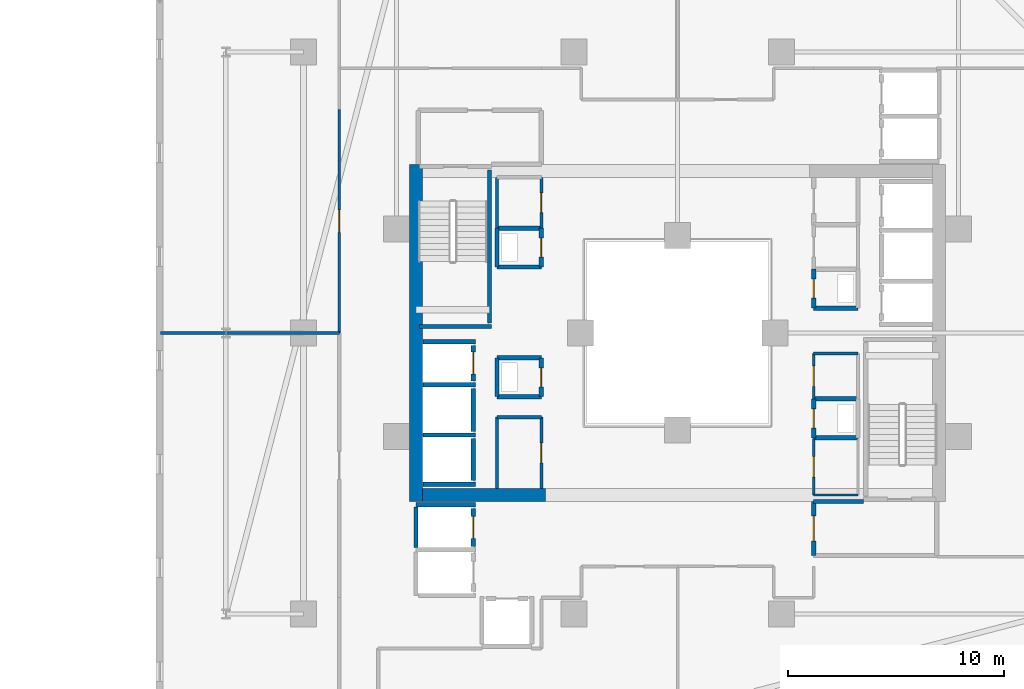
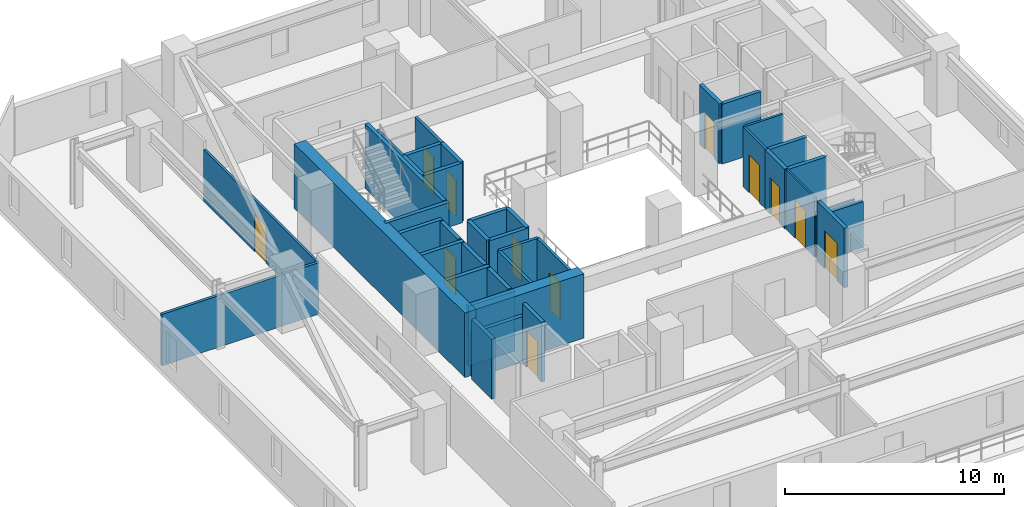
# One storey, part 24 of 33: 40 walls, 12 doors, 12 openings.
"""IFC4 building model written with IfcOpenShell, lengths in metres."""

from ifc_helpers import new_model, si_unit, direction, frame, frame_2d, origin, place, context, subcontext, project, spatial, rectangle, extrude, material, layer, layer_set, type_object, element, fill, save


model = new_model("IFC4")

# Units and contexts
model_context = context("Model", 3, precision=1e-05, world=origin(), true_north=direction((0.0, 1.0)))
body_context = subcontext(model_context, "Body", "Model", "MODEL_VIEW")
ifc_project = project(units=[si_unit("LENGTHUNIT", "METRE"), si_unit("AREAUNIT", "SQUARE_METRE"), si_unit("VOLUMEUNIT", "CUBIC_METRE"), si_unit("PLANEANGLEUNIT", "RADIAN"), si_unit("MASSUNIT", "GRAM", prefix="KILO")], contexts=[model_context])

# Site, building, storey
site_placement = place(None, origin())
site = spatial("IfcSite", under=ifc_project, at=site_placement, CompositionType="ELEMENT")
building_placement = place(site_placement, origin())
building = spatial("IfcBuilding", under=site, at=building_placement, Name="Thornwick Lancets Civic Towers", CompositionType="ELEMENT")
storey_placement = place(building_placement, frame((0.0, 0.0, 101.699951171875)))
storey = spatial("IfcBuildingStorey", under=building, at=storey_placement, Name="L26", CompositionType="ELEMENT", Elevation=101.699951171875)

# Wall, opening, door
ifc_material_1 = material(Name="Concrete blockwork C40/50", Category="masonry")
ifc_layer_1 = layer(ifc_material_1, 0.199951171875, Name="Concrete blockwork C40/50")
ifc_layer_set_1 = layer_set([ifc_layer_1], Name="Concrete blockwork C40/50")
wall_type_1 = type_object("IfcWallType", Name="WALL_COMP_200", PredefinedType="STANDARD", material=ifc_layer_set_1)
wall_1_placement = place(storey_placement, frame((79.050048828125, 24.780029296875, 0.0), z_axis=(0.0, 0.0, 1.0), x_axis=(0.0, 1.0, 0.0)))
wall_1 = element("IfcWall", 1, at=wall_1_placement, inside=storey, type_object=wall_type_1, Name="L26 Hoistway Front Wall FL-B2", PredefinedType="STANDARD", context=body_context, shape_type="SweptSolid", body=[
    extrude(rectangle(XDim=1.639892578125, YDim=0.199951171875, at=frame_2d((0.81982421875, 0.0))), origin(), (0.0, 0.0, 1.0), 3.340087890625),
])
opening_1_placement = place(wall_1_placement, frame((0.31005859375, 0.0, 0.0)))
opening_1 = element("IfcOpeningElement", 2, at=opening_1_placement, cuts=wall_1, Name="Opening LD-FL-B2", PredefinedType="OPENING", context=body_context, shape_type="SweptSolid", body=[
    extrude(rectangle(XDim=1.02001953125, YDim=2.06005859375, at=frame_2d((0.510009765625, 1.030029296875))), frame((0.0, 0.10986328125, 0.0), z_axis=(0.0, -1.0, 0.0), x_axis=(1.0, 0.0, 0.0)), (0.0, 0.0, 1.0), 0.219970703125),
])
ifc_material_2 = material(Name="Brushed bronze stainless steel", Category="steel")
door_type_1 = type_object("IfcDoorType", Name="DOOR_LIFT_SLIDE", OperationType="SLIDING_TO_LEFT", PredefinedType="DOOR", material=ifc_material_2)
door_1_placement = place(opening_1_placement, origin())
door_1 = element("IfcDoor", 3, at=door_1_placement, inside=storey, type_object=door_type_1, Name="L26 Sliding Lift Landing Door LD-FL-B2", OperationType="SLIDING_TO_LEFT", OverallHeight=2.06005859375, OverallWidth=1.02001953125, PredefinedType="DOOR", context=body_context, shape_type="SweptSolid", body=[
    extrude(rectangle(XDim=1.02001953125, YDim=2.06005859375, at=frame_2d((0.510009765625, 1.030029296875))), frame((0.0, 0.02490234375, 0.0), z_axis=(0.0, -1.0, 0.0), x_axis=(1.0, 0.0, 0.0)), (0.0, 0.0, 1.0), 0.050048828125),
])
fill(opening_1, door_1)

# Walls
wall_2_placement = place(storey_placement, frame((79.050048828125, 22.429931640625, 0.0), z_axis=(0.0, 0.0, 1.0), x_axis=(0.0, 1.0, 0.0)))
element("IfcWall", 4, at=wall_2_placement, inside=storey, type_object=wall_type_1, Name="L26 Hoistway Front Wall PL-BH2", PredefinedType="STANDARD", context=body_context, shape_type="SweptSolid", body=[
    extrude(rectangle(XDim=1.989990234375, YDim=0.199951171875, at=frame_2d((0.9951171875, 0.0))), origin(), (0.0, 0.0, 1.0), 3.340087890625),
])
wall_3_placement = place(storey_placement, frame((79.050048828125, 20.179931640625, 0.0), z_axis=(0.0, 0.0, 1.0), x_axis=(0.0, 1.0, 0.0)))
element("IfcWall", 5, at=wall_3_placement, inside=storey, type_object=wall_type_1, Name="L26 Hoistway Front Wall PL-BH3", PredefinedType="STANDARD", context=body_context, shape_type="SweptSolid", body=[
    extrude(rectangle(XDim=1.940185546875, YDim=0.199951171875, at=frame_2d((0.97021484375, 0.0))), origin(), (0.0, 0.0, 1.0), 3.340087890625),
])

# Wall, opening, door
wall_4_placement = place(storey_placement, frame((79.050048828125, 17.1298828125, 0.0), z_axis=(0.0, 0.0, 1.0), x_axis=(0.0, 1.0, 0.0)))
wall_4 = element("IfcWall", 6, at=wall_4_placement, inside=storey, type_object=wall_type_1, Name="L26 Hoistway Front Wall PL-BM1", PredefinedType="STANDARD", context=body_context, shape_type="SweptSolid", body=[
    extrude(rectangle(XDim=1.740234375, YDim=0.199951171875, at=frame_2d((0.8701171875, 0.0))), origin(), (0.0, 0.0, 1.0), 3.340087890625),
])
opening_2_placement = place(wall_4_placement, frame((0.360107421875, 0.0, 0.0)))
opening_2 = element("IfcOpeningElement", 7, at=opening_2_placement, cuts=wall_4, Name="Opening LD-PL-BM1", PredefinedType="OPENING", context=body_context, shape_type="SweptSolid", body=[
    extrude(rectangle(XDim=1.02001953125, YDim=2.06005859375, at=frame_2d((0.510009765625, 1.030029296875))), frame((0.0, 0.10986328125, 0.0), z_axis=(0.0, -1.0, 0.0), x_axis=(1.0, 0.0, 0.0)), (0.0, 0.0, 1.0), 0.219970703125),
])
door_2_placement = place(opening_2_placement, origin())
door_2 = element("IfcDoor", 8, at=door_2_placement, inside=storey, type_object=door_type_1, Name="L26 Sliding Lift Landing Door LD-PL-BM1", OperationType="SLIDING_TO_LEFT", OverallHeight=2.06005859375, OverallWidth=1.02001953125, PredefinedType="DOOR", context=body_context, shape_type="SweptSolid", body=[
    extrude(rectangle(XDim=1.02001953125, YDim=2.06005859375, at=frame_2d((0.510009765625, 1.030029296875))), frame((0.0, 0.02490234375, 0.0), z_axis=(0.0, -1.0, 0.0), x_axis=(1.0, 0.0, 0.0)), (0.0, 0.0, 1.0), 0.050048828125),
])
fill(opening_2, door_2)

# Walls
for number, where, z_axis, x_axis, name in (
    (9, (76.7119140625, 26.60009765625, 0.0), (0.0, 0.0, 1.0), (1.0, 0.0, 0.0), "L26 Hoistway Shaft Wall FL-B2 N"),
    (10, (76.7119140625, 24.60009765625, 0.0), (0.0, 0.0, 1.0), (1.0, 0.0, 0.0), "L26 Hoistway Shaft Wall FL-B2 S"),
    (11, (76.7119140625, 22.27490234375, 0.0), (0.0, 0.0, 1.0), (1.0, 0.0, 0.0), "L26 Hoistway Shaft Wall PL-BH2 S"),
    (12, (76.7119140625, 20.0, 0.0), (0.0, 0.0, 1.0), (1.0, 0.0, 0.0), "L26 Hoistway Shaft Wall PL-BH3 S"),
):
    element("IfcWall", number, at=place(storey_placement, frame(where, z_axis=z_axis, x_axis=x_axis)), inside=storey, type_object=wall_type_1, Name=name, PredefinedType="STANDARD", context=body_context, shape_type="SweptSolid", body=[
        extrude(rectangle(XDim=2.43603515625, YDim=0.199951171875, at=frame_2d((1.218017578125, 0.0))), origin(), (0.0, 0.0, 1.0), 3.340087890625),
    ])
wall_5_placement = place(storey_placement, frame((76.402099609375, 19.050048828125, 0.0), z_axis=(0.0, 0.0, 1.0), x_axis=(1.0, 0.0, 0.0)))
element("IfcWall", 13, at=wall_5_placement, inside=storey, type_object=wall_type_1, Name="L26 Hoistway Shaft Wall PL-BM1 N", PredefinedType="STANDARD", context=body_context, shape_type="SweptSolid", body=[
    extrude(rectangle(XDim=2.745849609375, YDim=0.199951171875, at=frame_2d((1.373046875, 0.0))), origin(), (0.0, 0.0, 1.0), 2.545166015625),
])
wall_6_placement = place(storey_placement, frame((76.39990234375, 17.08203125, 0.0), z_axis=(0.0, 0.0, 1.0), x_axis=(0.0, 1.0, 0.0)))
element("IfcWall", 14, at=wall_6_placement, inside=storey, type_object=wall_type_1, Name="L26 Hoistway Shaft Wall PL-BM1 W", PredefinedType="STANDARD", context=body_context, shape_type="SweptSolid", body=[
    extrude(rectangle(XDim=1.85595703125, YDim=0.199951171875, at=frame_2d((0.927978515625, 0.0))), origin(), (0.0, 0.0, 1.0), 3.340087890625),
])
wall_7_placement = place(storey_placement, frame((97.10009765625, 19.199951171875, 0.0), z_axis=(0.0, 0.0, 1.0), x_axis=(-1.0, 0.0, 0.0)))
element("IfcWall", 15, at=wall_7_placement, inside=storey, type_object=wall_type_1, Name="L26 Partition L26-B-FFLOB1 E3", PredefinedType="STANDARD", context=body_context, shape_type="SweptSolid", body=[
    extrude(rectangle(XDim=2.300048828125, YDim=0.199951171875, at=frame_2d((1.14990234375, 0.0))), origin(), (0.0, 0.0, 1.0), 2.545166015625),
])

# Wall, opening, door
wall_8_placement = place(storey_placement, frame((94.800048828125, 19.199951171875, 0.0), z_axis=(0.0, 0.0, 1.0), x_axis=(0.0, -1.0, 0.0)))
wall_8 = element("IfcWall", 16, at=wall_8_placement, inside=storey, type_object=wall_type_1, Name="L26 Partition L26-B-FFLOB1 E4", PredefinedType="STANDARD", context=body_context, shape_type="SweptSolid", body=[
    extrude(rectangle(XDim=2.5, YDim=0.199951171875, at=frame_2d((1.25, 0.0))), origin(), (0.0, 0.0, 1.0), 3.340087890625),
])
opening_3_placement = place(wall_8_placement, frame((0.675048828125, 0.0, 0.0)))
opening_3 = element("IfcOpeningElement", 17, at=opening_3_placement, cuts=wall_8, Name="Opening D-L26-1205", PredefinedType="OPENING", context=body_context, shape_type="SweptSolid", body=[
    extrude(rectangle(XDim=1.14990234375, YDim=2.10009765625, at=frame_2d((0.574951171875, 1.050048828125))), frame((0.0, 0.10986328125, 0.0), z_axis=(0.0, -1.0, 0.0), x_axis=(1.0, 0.0, 0.0)), (0.0, 0.0, 1.0), 0.219970703125),
])
ifc_material_3 = material(Name="Glazed fire-resisting steel", Category="steel")
door_type_2 = type_object("IfcDoorType", Name="DOOR_LOBBY_FD60", OperationType="NOTDEFINED", PredefinedType="DOOR", material=ifc_material_3)
door_3_placement = place(opening_3_placement, origin())
door_3 = element("IfcDoor", 18, at=door_3_placement, inside=storey, type_object=door_type_2, Name="L26 East Firefighting Lobby 1 Door", OperationType="SINGLE_SWING_RIGHT", OverallHeight=2.10009765625, OverallWidth=1.14990234375, PredefinedType="DOOR", context=body_context, shape_type="SweptSolid", body=[
    extrude(rectangle(XDim=1.14990234375, YDim=2.10009765625, at=frame_2d((0.574951171875, 1.050048828125))), frame((0.0, 0.02490234375, 0.0), z_axis=(0.0, -1.0, 0.0), x_axis=(1.0, 0.0, 0.0)), (0.0, 0.0, 1.0), 0.050048828125),
])
fill(opening_3, door_3)

# Wall
wall_9_placement = place(storey_placement, frame((94.800048828125, 28.14990234375, 0.0), z_axis=(0.0, 0.0, 1.0), x_axis=(1.0, 0.0, 0.0)))
element("IfcWall", 19, at=wall_9_placement, inside=storey, type_object=wall_type_1, Name="L26 Partition L26-B-DUCT1 E1", PredefinedType="STANDARD", context=body_context, shape_type="SweptSolid", body=[
    extrude(rectangle(XDim=2.050048828125, YDim=0.199951171875, at=frame_2d((1.02490234375, 0.0))), origin(), (0.0, 0.0, 1.0), 3.340087890625),
])

# Wall, opening, door
wall_10_placement = place(storey_placement, frame((94.800048828125, 29.949951171875, 0.0), z_axis=(0.0, 0.0, 1.0), x_axis=(0.0, -1.0, 0.0)))
wall_10 = element("IfcWall", 20, at=wall_10_placement, inside=storey, type_object=wall_type_1, Name="L26 Partition L26-B-DUCT1 E4", PredefinedType="STANDARD", context=body_context, shape_type="SweptSolid", body=[
    extrude(rectangle(XDim=1.800048828125, YDim=0.199951171875, at=frame_2d((0.89990234375, 0.0))), origin(), (0.0, 0.0, 1.0), 3.340087890625),
])
opening_4_placement = place(wall_10_placement, frame((0.4599609375, 0.0, 0.0)))
opening_4 = element("IfcOpeningElement", 21, at=opening_4_placement, cuts=wall_10, Name="Opening D-L26-1207", PredefinedType="OPENING", context=body_context, shape_type="SweptSolid", body=[
    extrude(rectangle(XDim=0.8798828125, YDim=2.0400390625, at=frame_2d((0.43994140625, 1.02001953125))), frame((0.0, 0.10986328125, 0.0), z_axis=(0.0, -1.0, 0.0), x_axis=(1.0, 0.0, 0.0)), (0.0, 0.0, 1.0), 0.219970703125),
])
ifc_material_4 = material(Name="Steel riser access doorset", Category="steel")
door_type_3 = type_object("IfcDoorType", Name="DOOR_RISER_850", OperationType="NOTDEFINED", PredefinedType="DOOR", material=ifc_material_4)
door_4_placement = place(opening_4_placement, origin())
door_4 = element("IfcDoor", 22, at=door_4_placement, inside=storey, type_object=door_type_3, Name="L26 East Service Duct 1 Door", OperationType="SINGLE_SWING_RIGHT", OverallHeight=2.0400390625, OverallWidth=0.8798828125, PredefinedType="DOOR", context=body_context, shape_type="SweptSolid", body=[
    extrude(rectangle(XDim=0.8798828125, YDim=2.0400390625, at=frame_2d((0.43994140625, 1.02001953125))), frame((0.0, 0.02490234375, 0.0), z_axis=(0.0, -1.0, 0.0), x_axis=(1.0, 0.0, 0.0)), (0.0, 0.0, 1.0), 0.050048828125),
])
fill(opening_4, door_4)

# Walls
for number, where, z_axis, x_axis, name in (
    (23, (94.800048828125, 22.14990234375, 0.0), (0.0, 0.0, 1.0), (1.0, 0.0, 0.0), "L26 Partition L26-B-RISER1 E1"),
    (24, (96.85009765625, 23.949951171875, 0.0), (0.0, 0.0, 1.0), (-1.0, 0.0, 0.0), "L26 Partition L26-B-RISER1 E3"),
):
    element("IfcWall", number, at=place(storey_placement, frame(where, z_axis=z_axis, x_axis=x_axis)), inside=storey, type_object=wall_type_1, Name=name, PredefinedType="STANDARD", context=body_context, shape_type="SweptSolid", body=[
        extrude(rectangle(XDim=2.050048828125, YDim=0.199951171875, at=frame_2d((1.02490234375, 0.0))), origin(), (0.0, 0.0, 1.0), 3.340087890625),
    ])

# Wall, opening, door
wall_11_placement = place(storey_placement, frame((94.800048828125, 23.949951171875, 0.0), z_axis=(0.0, 0.0, 1.0), x_axis=(0.0, -1.0, 0.0)))
wall_11 = element("IfcWall", 25, at=wall_11_placement, inside=storey, type_object=wall_type_1, Name="L26 Partition L26-B-RISER1 E4", PredefinedType="STANDARD", context=body_context, shape_type="SweptSolid", body=[
    extrude(rectangle(XDim=1.800048828125, YDim=0.199951171875, at=frame_2d((0.89990234375, 0.0))), origin(), (0.0, 0.0, 1.0), 3.340087890625),
])
opening_5_placement = place(wall_11_placement, frame((0.4599609375, 0.0, 0.0)))
opening_5 = element("IfcOpeningElement", 26, at=opening_5_placement, cuts=wall_11, Name="Opening D-L26-1208", PredefinedType="OPENING", context=body_context, shape_type="SweptSolid", body=[
    extrude(rectangle(XDim=0.8798828125, YDim=2.0400390625, at=frame_2d((0.43994140625, 1.02001953125))), frame((0.0, 0.10986328125, 0.0), z_axis=(0.0, -1.0, 0.0), x_axis=(1.0, 0.0, 0.0)), (0.0, 0.0, 1.0), 0.219970703125),
])
door_5_placement = place(opening_5_placement, origin())
door_5 = element("IfcDoor", 27, at=door_5_placement, inside=storey, type_object=door_type_3, Name="L26 East Electrical Riser 1 Door", OperationType="SINGLE_SWING_LEFT", OverallHeight=2.0400390625, OverallWidth=0.8798828125, PredefinedType="DOOR", context=body_context, shape_type="SweptSolid", body=[
    extrude(rectangle(XDim=0.8798828125, YDim=2.0400390625, at=frame_2d((0.43994140625, 1.02001953125))), frame((0.0, 0.02490234375, 0.0), z_axis=(0.0, -1.0, 0.0), x_axis=(1.0, 0.0, 0.0)), (0.0, 0.0, 1.0), 0.050048828125),
])
fill(opening_5, door_5)

# Wall
wall_12_placement = place(storey_placement, frame((80.14990234375, 24.050048828125, 0.0), z_axis=(0.0, 0.0, 1.0), x_axis=(1.0, 0.0, 0.0)))
element("IfcWall", 28, at=wall_12_placement, inside=storey, type_object=wall_type_1, Name="L26 Partition L26-B-DUCT2 E1", PredefinedType="STANDARD", context=body_context, shape_type="SweptSolid", body=[
    extrude(rectangle(XDim=2.050048828125, YDim=0.199951171875, at=frame_2d((1.02490234375, 0.0))), origin(), (0.0, 0.0, 1.0), 3.340087890625),
])

# Wall, opening, door
wall_13_placement = place(storey_placement, frame((82.199951171875, 24.050048828125, 0.0), z_axis=(0.0, 0.0, 1.0), x_axis=(0.0, 1.0, 0.0)))
wall_13 = element("IfcWall", 29, at=wall_13_placement, inside=storey, type_object=wall_type_1, Name="L26 Partition L26-B-DUCT2 E2", PredefinedType="STANDARD", context=body_context, shape_type="SweptSolid", body=[
    extrude(rectangle(XDim=1.800048828125, YDim=0.199951171875, at=frame_2d((0.89990234375, 0.0))), origin(), (0.0, 0.0, 1.0), 3.340087890625),
])
opening_6_placement = place(wall_13_placement, frame((0.4599609375, 0.0, 0.0)))
opening_6 = element("IfcOpeningElement", 30, at=opening_6_placement, cuts=wall_13, Name="Opening D-L26-1209", PredefinedType="OPENING", context=body_context, shape_type="SweptSolid", body=[
    extrude(rectangle(XDim=0.8798828125, YDim=2.0400390625, at=frame_2d((0.43994140625, 1.02001953125))), frame((0.0, 0.10986328125, 0.0), z_axis=(0.0, -1.0, 0.0), x_axis=(1.0, 0.0, 0.0)), (0.0, 0.0, 1.0), 0.219970703125),
])
door_6_placement = place(opening_6_placement, origin())
door_6 = element("IfcDoor", 31, at=door_6_placement, inside=storey, type_object=door_type_3, Name="L26 West Service Duct 2 Door", OperationType="SINGLE_SWING_RIGHT", OverallHeight=2.0400390625, OverallWidth=0.8798828125, PredefinedType="DOOR", context=body_context, shape_type="SweptSolid", body=[
    extrude(rectangle(XDim=0.8798828125, YDim=2.0400390625, at=frame_2d((0.43994140625, 1.02001953125))), frame((0.0, 0.02490234375, 0.0), z_axis=(0.0, -1.0, 0.0), x_axis=(1.0, 0.0, 0.0)), (0.0, 0.0, 1.0), 0.050048828125),
])
fill(opening_6, door_6)

# Walls
wall_14_placement = place(storey_placement, frame((82.199951171875, 25.85009765625, 0.0), z_axis=(0.0, 0.0, 1.0), x_axis=(-1.0, 0.0, 0.0)))
element("IfcWall", 32, at=wall_14_placement, inside=storey, type_object=wall_type_1, Name="L26 Partition L26-B-DUCT2 E3", PredefinedType="STANDARD", context=body_context, shape_type="SweptSolid", body=[
    extrude(rectangle(XDim=2.050048828125, YDim=0.199951171875, at=frame_2d((1.02490234375, 0.0))), origin(), (0.0, 0.0, 1.0), 3.340087890625),
])
wall_15_placement = place(storey_placement, frame((80.14990234375, 25.85009765625, 0.0), z_axis=(0.0, 0.0, 1.0), x_axis=(0.0, -1.0, 0.0)))
element("IfcWall", 33, at=wall_15_placement, inside=storey, type_object=wall_type_1, Name="L26 Partition L26-B-DUCT2 E4", PredefinedType="STANDARD", context=body_context, shape_type="SweptSolid", body=[
    extrude(rectangle(XDim=1.800048828125, YDim=0.199951171875, at=frame_2d((0.89990234375, 0.0))), origin(), (0.0, 0.0, 1.0), 3.340087890625),
])
wall_16_placement = place(storey_placement, frame((80.14990234375, 30.050048828125, 0.0), z_axis=(0.0, 0.0, 1.0), x_axis=(1.0, 0.0, 0.0)))
element("IfcWall", 34, at=wall_16_placement, inside=storey, type_object=wall_type_1, Name="L26 Partition L26-B-RISER2 E1", PredefinedType="STANDARD", context=body_context, shape_type="SweptSolid", body=[
    extrude(rectangle(XDim=2.050048828125, YDim=0.199951171875, at=frame_2d((1.02490234375, 0.0))), origin(), (0.0, 0.0, 1.0), 3.340087890625),
])

# Wall, opening, door
wall_17_placement = place(storey_placement, frame((82.199951171875, 30.050048828125, 0.0), z_axis=(0.0, 0.0, 1.0), x_axis=(0.0, 1.0, 0.0)))
wall_17 = element("IfcWall", 35, at=wall_17_placement, inside=storey, type_object=wall_type_1, Name="L26 Partition L26-B-RISER2 E2", PredefinedType="STANDARD", context=body_context, shape_type="SweptSolid", body=[
    extrude(rectangle(XDim=1.800048828125, YDim=0.199951171875, at=frame_2d((0.89990234375, 0.0))), origin(), (0.0, 0.0, 1.0), 3.340087890625),
])
opening_7_placement = place(wall_17_placement, frame((0.4599609375, 0.0, 0.0)))
opening_7 = element("IfcOpeningElement", 36, at=opening_7_placement, cuts=wall_17, Name="Opening D-L26-1210", PredefinedType="OPENING", context=body_context, shape_type="SweptSolid", body=[
    extrude(rectangle(XDim=0.8798828125, YDim=2.0400390625, at=frame_2d((0.43994140625, 1.02001953125))), frame((0.0, 0.10986328125, 0.0), z_axis=(0.0, -1.0, 0.0), x_axis=(1.0, 0.0, 0.0)), (0.0, 0.0, 1.0), 0.219970703125),
])
door_7_placement = place(opening_7_placement, origin())
door_7 = element("IfcDoor", 37, at=door_7_placement, inside=storey, type_object=door_type_3, Name="L26 West Service Riser 2 Door", OperationType="SINGLE_SWING_LEFT", OverallHeight=2.0400390625, OverallWidth=0.8798828125, PredefinedType="DOOR", context=body_context, shape_type="SweptSolid", body=[
    extrude(rectangle(XDim=0.8798828125, YDim=2.0400390625, at=frame_2d((0.43994140625, 1.02001953125))), frame((0.0, 0.02490234375, 0.0), z_axis=(0.0, -1.0, 0.0), x_axis=(1.0, 0.0, 0.0)), (0.0, 0.0, 1.0), 0.050048828125),
])
fill(opening_7, door_7)

# Walls
wall_18_placement = place(storey_placement, frame((82.199951171875, 31.85009765625, 0.0), z_axis=(0.0, 0.0, 1.0), x_axis=(-1.0, 0.0, 0.0)))
element("IfcWall", 38, at=wall_18_placement, inside=storey, type_object=wall_type_1, Name="L26 Partition L26-B-RISER2 E3", PredefinedType="STANDARD", context=body_context, shape_type="SweptSolid", body=[
    extrude(rectangle(XDim=2.050048828125, YDim=0.199951171875, at=frame_2d((1.02490234375, 0.0))), origin(), (0.0, 0.0, 1.0), 3.340087890625),
])
wall_19_placement = place(storey_placement, frame((80.14990234375, 31.85009765625, 0.0), z_axis=(0.0, 0.0, 1.0), x_axis=(0.0, -1.0, 0.0)))
element("IfcWall", 39, at=wall_19_placement, inside=storey, type_object=wall_type_1, Name="L26 Partition L26-B-RISER2 E4", PredefinedType="STANDARD", context=body_context, shape_type="SweptSolid", body=[
    extrude(rectangle(XDim=1.800048828125, YDim=0.199951171875, at=frame_2d((0.89990234375, 0.0))), origin(), (0.0, 0.0, 1.0), 3.340087890625),
])
ifc_material_5 = material(Name="Concrete C60/75", Category="concrete")
ifc_layer_2 = layer(ifc_material_5, 0.60009765625, Name="Concrete C60/75")
ifc_layer_set_2 = layer_set([ifc_layer_2], Name="Concrete C60/75")
wall_type_2 = type_object("IfcWallType", Name="WALL_CORE_600", PredefinedType="SHEAR", material=ifc_layer_set_2)
wall_20_placement = place(storey_placement, frame((76.39990234375, 19.199951171875, 0.0), z_axis=(0.0, 0.0, 1.0), x_axis=(0.0, 1.0, 0.0)))
element("IfcWall", 40, at=wall_20_placement, inside=storey, type_object=wall_type_2, Name="L26 Split Core B2 Shear Wall W", PredefinedType="SHEAR", context=body_context, shape_type="SweptSolid", body=[
    extrude(rectangle(XDim=15.60009765625, YDim=0.60009765625, at=frame_2d((7.800048828125, 0.0))), origin(), (0.0, 0.0, 1.0), 3.60009765625),
])
wall_21_placement = place(storey_placement, frame((76.699951171875, 19.5, 0.0), z_axis=(0.0, 0.0, 1.0), x_axis=(1.0, 0.0, 0.0)))
element("IfcWall", 41, at=wall_21_placement, inside=storey, type_object=wall_type_2, Name="L26 Split Core B2 Shear Wall S", PredefinedType="SHEAR", context=body_context, shape_type="SweptSolid", body=[
    extrude(rectangle(XDim=5.699951171875, YDim=0.60009765625, at=frame_2d((2.85009765625, 0.0))), origin(), (0.0, 0.0, 1.0), 3.60009765625),
])
ifc_material_6 = material(Name="Lightweight cellular office partition")
ifc_layer_3 = layer(ifc_material_6, 0.10009765625, Name="Lightweight cellular office partition")
ifc_layer_set_3 = layer_set([ifc_layer_3], Name="Lightweight cellular office partition")
wall_type_3 = type_object("IfcWallType", Name="WALL_PART_100", PredefinedType="PARTITIONING", material=ifc_layer_set_3)
wall_22_placement = place(storey_placement, frame((94.800048828125, 19.5, 0.0), z_axis=(0.0, 0.0, 1.0), x_axis=(1.0, 0.0, 0.0)))
element("IfcWall", 42, at=wall_22_placement, inside=storey, type_object=wall_type_3, Name="L26 Partition L26-B-CLN E1", PredefinedType="PARTITIONING", context=body_context, shape_type="SweptSolid", body=[
    extrude(rectangle(XDim=2.050048828125, YDim=0.10009765625, at=frame_2d((1.02490234375, 0.0))), origin(), (0.0, 0.0, 1.0), 2.545166015625),
])

# Wall, opening, door
wall_23_placement = place(storey_placement, frame((94.800048828125, 22.10009765625, 0.0), z_axis=(0.0, 0.0, 1.0), x_axis=(0.0, -1.0, 0.0)))
wall_23 = element("IfcWall", 43, at=wall_23_placement, inside=storey, type_object=wall_type_3, Name="L26 Partition L26-B-CLN E4", PredefinedType="PARTITIONING", context=body_context, shape_type="SweptSolid", body=[
    extrude(rectangle(XDim=2.60009765625, YDim=0.10009765625, at=frame_2d((1.300048828125, 0.0))), origin(), (0.0, 0.0, 1.0), 3.340087890625),
])
opening_8_placement = place(wall_23_placement, frame((0.824951171875, 0.0, 0.0)))
opening_8 = element("IfcOpeningElement", 44, at=opening_8_placement, cuts=wall_23, Name="Opening D-L26-1211", PredefinedType="OPENING", context=body_context, shape_type="SweptSolid", body=[
    extrude(rectangle(XDim=0.949951171875, YDim=2.10009765625, at=frame_2d((0.47509765625, 1.050048828125))), frame((0.0, 0.06005859375, 0.0), z_axis=(0.0, -1.0, 0.0), x_axis=(1.0, 0.0, 0.0)), (0.0, 0.0, 1.0), 0.1201171875),
])
ifc_material_7 = material(Name="European oak acoustic doorset")
door_type_4 = type_object("IfcDoorType", Name="DOOR_OFFICE_950", OperationType="NOTDEFINED", PredefinedType="DOOR", material=ifc_material_7)
door_8_placement = place(opening_8_placement, origin())
door_8 = element("IfcDoor", 45, at=door_8_placement, inside=storey, type_object=door_type_4, Name="L26 Tower B Cleaners Store Door", OperationType="SINGLE_SWING_RIGHT", OverallHeight=2.10009765625, OverallWidth=0.949951171875, PredefinedType="DOOR", context=body_context, shape_type="SweptSolid", body=[
    extrude(rectangle(XDim=0.949951171875, YDim=2.10009765625, at=frame_2d((0.47509765625, 1.050048828125))), frame((0.0, 0.02490234375, 0.0), z_axis=(0.0, -1.0, 0.0), x_axis=(1.0, 0.0, 0.0)), (0.0, 0.0, 1.0), 0.050048828125),
])
fill(opening_8, door_8)

ifc_material_8 = material(Name="Acoustic gypsum board partition")
ifc_layer_4 = layer(ifc_material_8, 0.1201171875, Name="Acoustic gypsum board partition")
ifc_layer_set_4 = layer_set([ifc_layer_4], Name="Acoustic gypsum board partition")
wall_type_4 = type_object("IfcWallType", Name="WALL_PART_120", PredefinedType="PARTITIONING", material=ifc_layer_set_4)
wall_24_placement = place(storey_placement, frame((94.800048828125, 23.949951171875, 0.0), z_axis=(0.0, 0.0, 1.0), x_axis=(0.0, 1.0, 0.0)))
wall_24 = element("IfcWall", 46, at=wall_24_placement, inside=storey, type_object=wall_type_4, Name="L26 Partition L26-B-ITR E1", PredefinedType="PARTITIONING", context=body_context, shape_type="SweptSolid", body=[
    extrude(rectangle(XDim=2.10009765625, YDim=0.1201171875, at=frame_2d((1.050048828125, 0.0))), origin(), (0.0, 0.0, 1.0), 3.340087890625),
])
opening_9_placement = place(wall_24_placement, frame((0.574951171875, 0.0, 0.0)))
opening_9 = element("IfcOpeningElement", 47, at=opening_9_placement, cuts=wall_24, Name="Opening D-L26-1212", PredefinedType="OPENING", context=body_context, shape_type="SweptSolid", body=[
    extrude(rectangle(XDim=0.949951171875, YDim=2.10009765625, at=frame_2d((0.47509765625, 1.050048828125))), frame((0.0, 0.070068359375, 0.0), z_axis=(0.0, -1.0, 0.0), x_axis=(1.0, 0.0, 0.0)), (0.0, 0.0, 1.0), 0.14013671875),
])
door_9_placement = place(opening_9_placement, origin())
door_9 = element("IfcDoor", 48, at=door_9_placement, inside=storey, type_object=door_type_4, Name="L26 Tower B Comms Patch Room Door", OperationType="SINGLE_SWING_LEFT", OverallHeight=2.10009765625, OverallWidth=0.949951171875, PredefinedType="DOOR", context=body_context, shape_type="SweptSolid", body=[
    extrude(rectangle(XDim=0.949951171875, YDim=2.10009765625, at=frame_2d((0.47509765625, 1.050048828125))), frame((0.0, 0.02490234375, 0.0), z_axis=(0.0, -1.0, 0.0), x_axis=(1.0, 0.0, 0.0)), (0.0, 0.0, 1.0), 0.050048828125),
])
fill(opening_9, door_9)

# Wall
wall_25_placement = place(storey_placement, frame((94.800048828125, 26.050048828125, 0.0), z_axis=(0.0, 0.0, 1.0), x_axis=(1.0, 0.0, 0.0)))
element("IfcWall", 49, at=wall_25_placement, inside=storey, type_object=wall_type_4, Name="L26 Partition L26-B-ITR E2", PredefinedType="PARTITIONING", context=body_context, shape_type="SweptSolid", body=[
    extrude(rectangle(XDim=2.050048828125, YDim=0.1201171875, at=frame_2d((1.02490234375, 0.0))), origin(), (0.0, 0.0, 1.0), 3.340087890625),
])

# Wall, opening, door
wall_26_placement = place(storey_placement, frame((72.85009765625, 37.35009765625, 0.0), z_axis=(0.0, 0.0, 1.0), x_axis=(0.0, -1.0, 0.0)))
wall_26 = element("IfcWall", 50, at=wall_26_placement, inside=storey, type_object=wall_type_4, Name="L26 Partition L26-B-N-OFF E6", PredefinedType="PARTITIONING", context=body_context, shape_type="SweptSolid", body=[
    extrude(rectangle(XDim=10.35009765625, YDim=0.1201171875, at=frame_2d((5.175048828125, 0.0))), origin(), (0.0, 0.0, 1.0), 2.89501953125),
])
opening_10_placement = place(wall_26_placement, frame((4.64990234375, 0.0, 0.0)))
opening_10 = element("IfcOpeningElement", 51, at=opening_10_placement, cuts=wall_26, Name="Opening D-L26-1228", PredefinedType="OPENING", context=body_context, shape_type="SweptSolid", body=[
    extrude(rectangle(XDim=1.050048828125, YDim=2.10009765625, at=frame_2d((0.52490234375, 1.050048828125))), frame((0.0, 0.070068359375, 0.0), z_axis=(0.0, -1.0, 0.0), x_axis=(1.0, 0.0, 0.0)), (0.0, 0.0, 1.0), 0.14013671875),
])
ifc_material_9 = material(Name="Glazed European oak executive doorset")
door_type_5 = type_object("IfcDoorType", Name="DOOR_OFFICE_1050", OperationType="NOTDEFINED", PredefinedType="DOOR", material=ifc_material_9)
door_10_placement = place(opening_10_placement, origin())
door_10 = element("IfcDoor", 52, at=door_10_placement, inside=storey, type_object=door_type_5, Name="L26 Tower B North Policy Office Door", OperationType="SINGLE_SWING_LEFT", OverallHeight=2.10009765625, OverallWidth=1.050048828125, PredefinedType="DOOR", context=body_context, shape_type="SweptSolid", body=[
    extrude(rectangle(XDim=1.050048828125, YDim=2.10009765625, at=frame_2d((0.52490234375, 1.050048828125))), frame((0.0, 0.02490234375, 0.0), z_axis=(0.0, -1.0, 0.0), x_axis=(1.0, 0.0, 0.0)), (0.0, 0.0, 1.0), 0.050048828125),
])
fill(opening_10, door_10)

ifc_material_10 = material(Name="Twin-stud acoustic gypsum board")
ifc_layer_5 = layer(ifc_material_10, 0.14990234375, Name="Twin-stud acoustic gypsum board")
ifc_layer_set_5 = layer_set([ifc_layer_5], Name="Twin-stud acoustic gypsum board")
wall_type_5 = type_object("IfcWallType", Name="WALL_PART_150", PredefinedType="PARTITIONING", material=ifc_layer_set_5)
wall_27_placement = place(storey_placement, frame((82.199951171875, 19.800048828125, 0.0), z_axis=(0.0, 0.0, 1.0), x_axis=(0.0, 1.0, 0.0)))
wall_27 = element("IfcWall", 53, at=wall_27_placement, inside=storey, type_object=wall_type_5, Name="L26 Partition L26-B-MWC E2", PredefinedType="PARTITIONING", context=body_context, shape_type="SweptSolid", body=[
    extrude(rectangle(XDim=3.300048828125, YDim=0.14990234375, at=frame_2d((1.64990234375, 0.0))), origin(), (0.0, 0.0, 1.0), 3.340087890625),
])
opening_11_placement = place(wall_27_placement, frame((1.18994140625, 0.0, 0.0)))
opening_11 = element("IfcOpeningElement", 54, at=opening_11_placement, cuts=wall_27, Name="Opening D-L26-1215", PredefinedType="OPENING", context=body_context, shape_type="SweptSolid", body=[
    extrude(rectangle(XDim=0.919921875, YDim=2.080078125, at=frame_2d((0.4599609375, 1.0400390625))), frame((0.0, 0.0849609375, 0.0), z_axis=(0.0, -1.0, 0.0), x_axis=(1.0, 0.0, 0.0)), (0.0, 0.0, 1.0), 0.169921875),
])
ifc_material_11 = material(Name="Moisture-resistant oak doorset")
door_type_6 = type_object("IfcDoorType", Name="DOOR_WC_900", OperationType="NOTDEFINED", PredefinedType="DOOR", material=ifc_material_11)
door_11_placement = place(opening_11_placement, origin())
door_11 = element("IfcDoor", 55, at=door_11_placement, inside=storey, type_object=door_type_6, Name="L26 Tower B Male WC Door", OperationType="SINGLE_SWING_RIGHT", OverallHeight=2.080078125, OverallWidth=0.919921875, PredefinedType="DOOR", context=body_context, shape_type="SweptSolid", body=[
    extrude(rectangle(XDim=0.919921875, YDim=2.080078125, at=frame_2d((0.4599609375, 1.0400390625))), frame((0.0, 0.02490234375, 0.0), z_axis=(0.0, -1.0, 0.0), x_axis=(1.0, 0.0, 0.0)), (0.0, 0.0, 1.0), 0.050048828125),
])
fill(opening_11, door_11)

# Walls
wall_28_placement = place(storey_placement, frame((82.199951171875, 23.10009765625, 0.0), z_axis=(0.0, 0.0, 1.0), x_axis=(-1.0, 0.0, 0.0)))
element("IfcWall", 56, at=wall_28_placement, inside=storey, type_object=wall_type_5, Name="L26 Partition L26-B-MWC E3", PredefinedType="PARTITIONING", context=body_context, shape_type="SweptSolid", body=[
    extrude(rectangle(XDim=2.050048828125, YDim=0.14990234375, at=frame_2d((1.02490234375, 0.0))), origin(), (0.0, 0.0, 1.0), 3.340087890625),
])
wall_29_placement = place(storey_placement, frame((80.14990234375, 23.10009765625, 0.0), z_axis=(0.0, 0.0, 1.0), x_axis=(0.0, -1.0, 0.0)))
element("IfcWall", 57, at=wall_29_placement, inside=storey, type_object=wall_type_5, Name="L26 Partition L26-B-MWC E4", PredefinedType="PARTITIONING", context=body_context, shape_type="SweptSolid", body=[
    extrude(rectangle(XDim=3.300048828125, YDim=0.14990234375, at=frame_2d((1.64990234375, 0.0))), origin(), (0.0, 0.0, 1.0), 3.340087890625),
])
wall_30_placement = place(storey_placement, frame((80.14990234375, 31.85009765625, 0.0), z_axis=(0.0, 0.0, 1.0), x_axis=(0.0, 1.0, 0.0)))
element("IfcWall", 58, at=wall_30_placement, inside=storey, type_object=wall_type_5, Name="L26 Partition L26-B-FWC E1", PredefinedType="PARTITIONING", context=body_context, shape_type="SweptSolid", body=[
    extrude(rectangle(XDim=2.349853515625, YDim=0.14990234375, at=frame_2d((1.1748046875, 0.0))), origin(), (0.0, 0.0, 1.0), 3.340087890625),
])

# Wall, opening, door
wall_31_placement = place(storey_placement, frame((82.199951171875, 34.199951171875, 0.0), z_axis=(0.0, 0.0, 1.0), x_axis=(0.0, -1.0, 0.0)))
wall_31 = element("IfcWall", 59, at=wall_31_placement, inside=storey, type_object=wall_type_5, Name="L26 Partition L26-B-FWC E3", PredefinedType="PARTITIONING", context=body_context, shape_type="SweptSolid", body=[
    extrude(rectangle(XDim=2.349853515625, YDim=0.14990234375, at=frame_2d((1.1748046875, 0.0))), origin(), (0.0, 0.0, 1.0), 3.340087890625),
])
opening_12_placement = place(wall_31_placement, frame((0.715087890625, 0.0, 0.0)))
opening_12 = element("IfcOpeningElement", 60, at=opening_12_placement, cuts=wall_31, Name="Opening D-L26-1216", PredefinedType="OPENING", context=body_context, shape_type="SweptSolid", body=[
    extrude(rectangle(XDim=0.919921875, YDim=2.080078125, at=frame_2d((0.4599609375, 1.0400390625))), frame((0.0, 0.0849609375, 0.0), z_axis=(0.0, -1.0, 0.0), x_axis=(1.0, 0.0, 0.0)), (0.0, 0.0, 1.0), 0.169921875),
])
door_12_placement = place(opening_12_placement, origin())
door_12 = element("IfcDoor", 61, at=door_12_placement, inside=storey, type_object=door_type_6, Name="L26 Tower B Female WC Door", OperationType="SINGLE_SWING_LEFT", OverallHeight=2.080078125, OverallWidth=0.919921875, PredefinedType="DOOR", context=body_context, shape_type="SweptSolid", body=[
    extrude(rectangle(XDim=0.919921875, YDim=2.080078125, at=frame_2d((0.4599609375, 1.0400390625))), frame((0.0, 0.02490234375, 0.0), z_axis=(0.0, -1.0, 0.0), x_axis=(1.0, 0.0, 0.0)), (0.0, 0.0, 1.0), 0.050048828125),
])
fill(opening_12, door_12)

# Walls
wall_32_placement = place(storey_placement, frame((64.580078125, 27.0, 0.0), z_axis=(0.0, 0.0, 1.0), x_axis=(1.0, 0.0, 0.0)))
element("IfcWall", 62, at=wall_32_placement, inside=storey, type_object=wall_type_5, Name="L26 Partition L26-B-N-CONF E5", PredefinedType="PARTITIONING", context=body_context, shape_type="SweptSolid", body=[
    extrude(rectangle(XDim=8.27001953125, YDim=0.14990234375, at=frame_2d((4.135009765625, 0.0))), origin(), (0.0, 0.0, 1.0), 2.8779296875),
])
ifc_material_12 = material(Name="Concrete C40/50", Category="concrete")
ifc_layer_6 = layer(ifc_material_12, 0.199951171875, Name="Concrete C40/50")
ifc_layer_set_6 = layer_set([ifc_layer_6], Name="Concrete C40/50")
wall_type_6 = type_object("IfcWallType", Name="WALL_SHAFT_200", PredefinedType="SHEAR", material=ifc_layer_set_6)
wall_33_placement = place(storey_placement, frame((79.89990234375, 27.300048828125, 0.0), z_axis=(0.0, 0.0, 1.0), x_axis=(-1.0, 0.0, 0.0)))
element("IfcWall", 63, at=wall_33_placement, inside=storey, type_object=wall_type_6, Name="L26 ST-B2 Fire Stair Core Wall FAR", PredefinedType="SHEAR", context=body_context, shape_type="SweptSolid", body=[
    extrude(rectangle(XDim=3.349853515625, YDim=0.199951171875, at=frame_2d((1.6748046875, 0.0))), origin(), (0.0, 0.0, 1.0), 3.60009765625),
])
wall_34_placement = place(storey_placement, frame((79.797119140625, 27.449951171875, 0.0), z_axis=(0.0, 0.0, 1.0), x_axis=(0.0, 1.0, 0.0)))
element("IfcWall", 64, at=wall_34_placement, inside=storey, type_object=wall_type_6, Name="L26 ST-B2 Fire Stair Core Wall RIGHT", PredefinedType="SHEAR", context=body_context, shape_type="SweptSolid", body=[
    extrude(rectangle(XDim=7.10009765625, YDim=0.199951171875, at=frame_2d((3.550048828125, 0.0))), origin(), (0.0, 0.0, 1.0), 3.60009765625),
])

save(model, "model.ifc")
